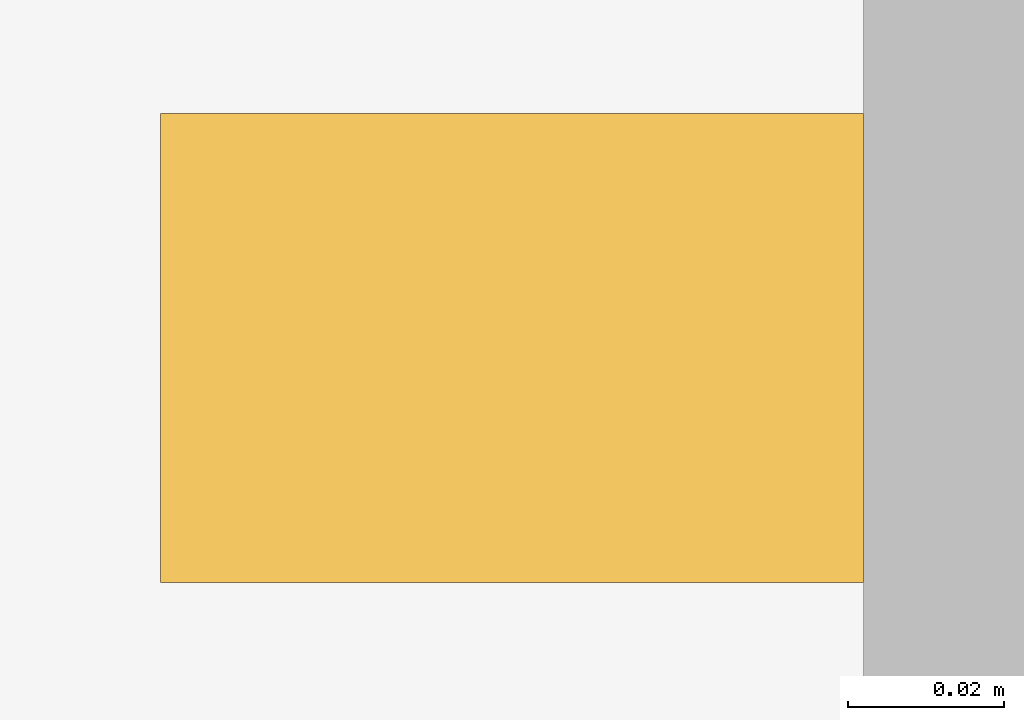
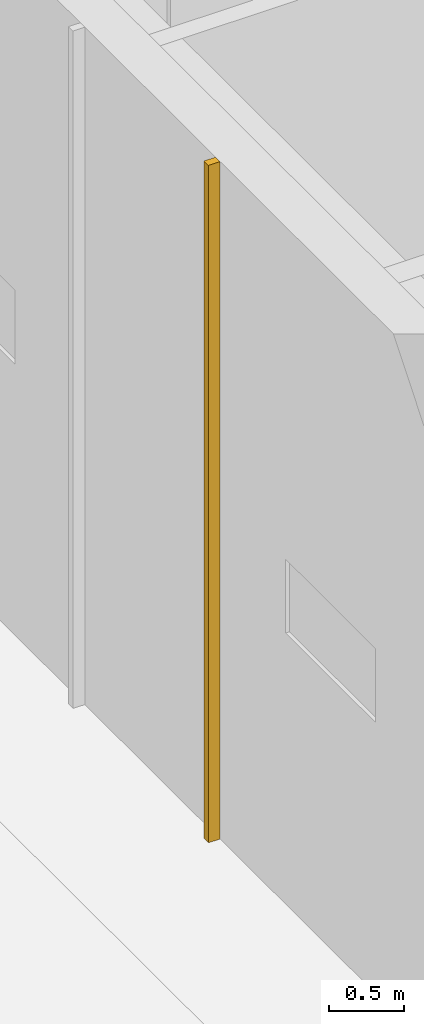
# One storey, part 29 of 39: 1 covering.
"""IFC4 building model written with IfcOpenShell, lengths in metres."""

from ifc_helpers import new_model, si_unit, direction, frame, origin, origin_2d, place, context, subcontext, project, spatial, rectangle, extrude, material, type_object, element, save


model = new_model("IFC4")

# Units and contexts
model_context = context("Model", 3, precision=1e-05, world=origin(), true_north=direction((0.0, 1.0)))
body_context = subcontext(model_context, "Body", "Model", "MODEL_VIEW")
ifc_project = project(units=[si_unit("LENGTHUNIT", "METRE"), si_unit("AREAUNIT", "SQUARE_METRE"), si_unit("VOLUMEUNIT", "CUBIC_METRE"), si_unit("PLANEANGLEUNIT", "RADIAN"), si_unit("MASSUNIT", "GRAM", prefix="KILO")], contexts=[model_context])

# Site, building, storey
site_placement = place(None, origin())
site = spatial("IfcSite", under=ifc_project, at=site_placement, CompositionType="ELEMENT")
building_placement = place(site_placement, origin())
building = spatial("IfcBuilding", under=site, at=building_placement, Name="Cobrizo Arcos Hotel Tower", CompositionType="ELEMENT")
storey_placement = place(building_placement, frame((0.0, 0.0, 33.5)))
storey = spatial("IfcBuildingStorey", under=building, at=storey_placement, Name="L06", CompositionType="ELEMENT", Elevation=33.5)

# Covering
ifc_material = material(Name="Aluminium 6063-T6 anodised pale", Category="aluminium")
covering_type = type_object("IfcCoveringType", Name="RS-1 rainscreen rib 60x90", PredefinedType="CLADDING", material=ifc_material)
covering_placement = place(storey_placement, frame((-24.3701171875, -0.89990234375, 0.0), z_axis=(0.0, 0.0, 1.0), x_axis=(0.0, -1.0, 0.0)))
element("IfcCovering", 1, at=covering_placement, inside=storey, type_object=covering_type, Name="Rainscreen rib 16", PredefinedType="CLADDING", context=body_context, shape_type="SweptSolid", body=[
    extrude(rectangle(XDim=0.06005859375, YDim=0.090087890625, at=origin_2d()), origin(), (0.0, 0.0, 1.0), 5.5),
])

save(model, "model.ifc")
